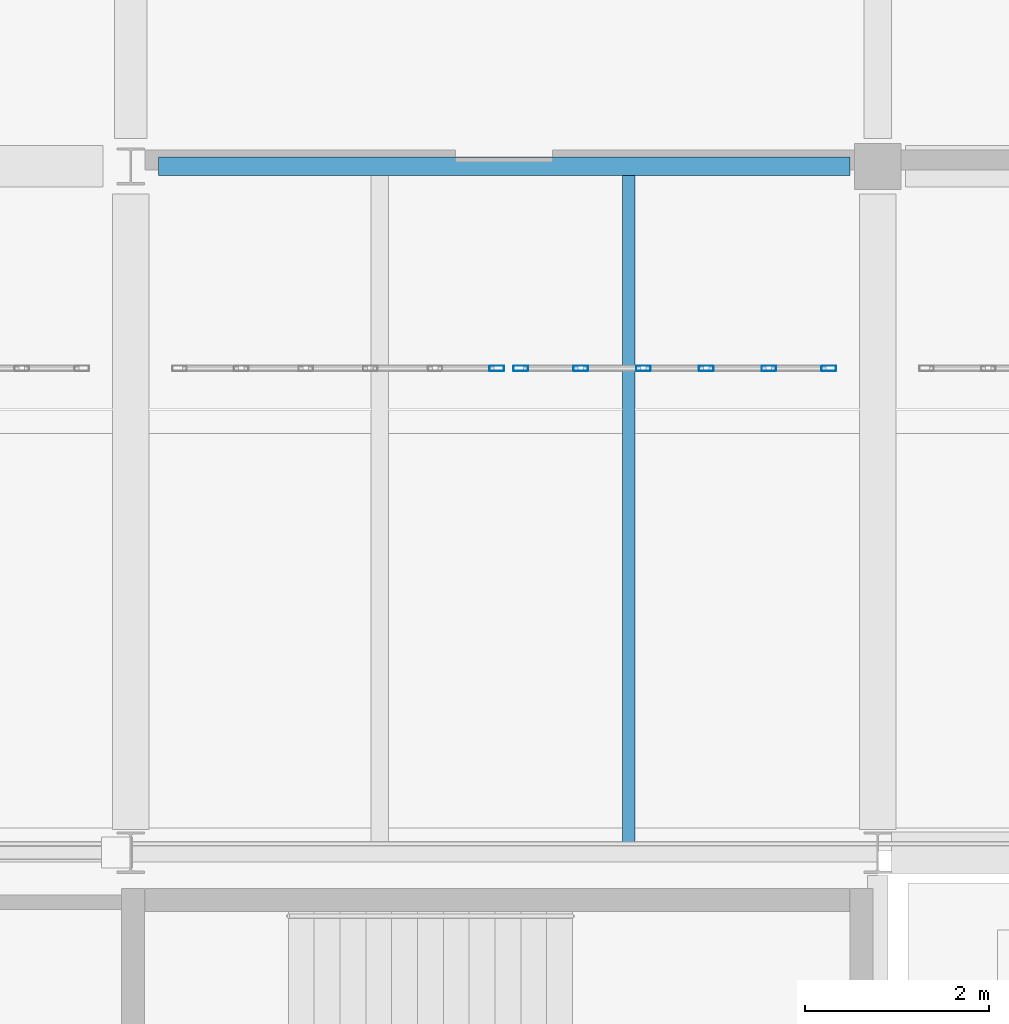
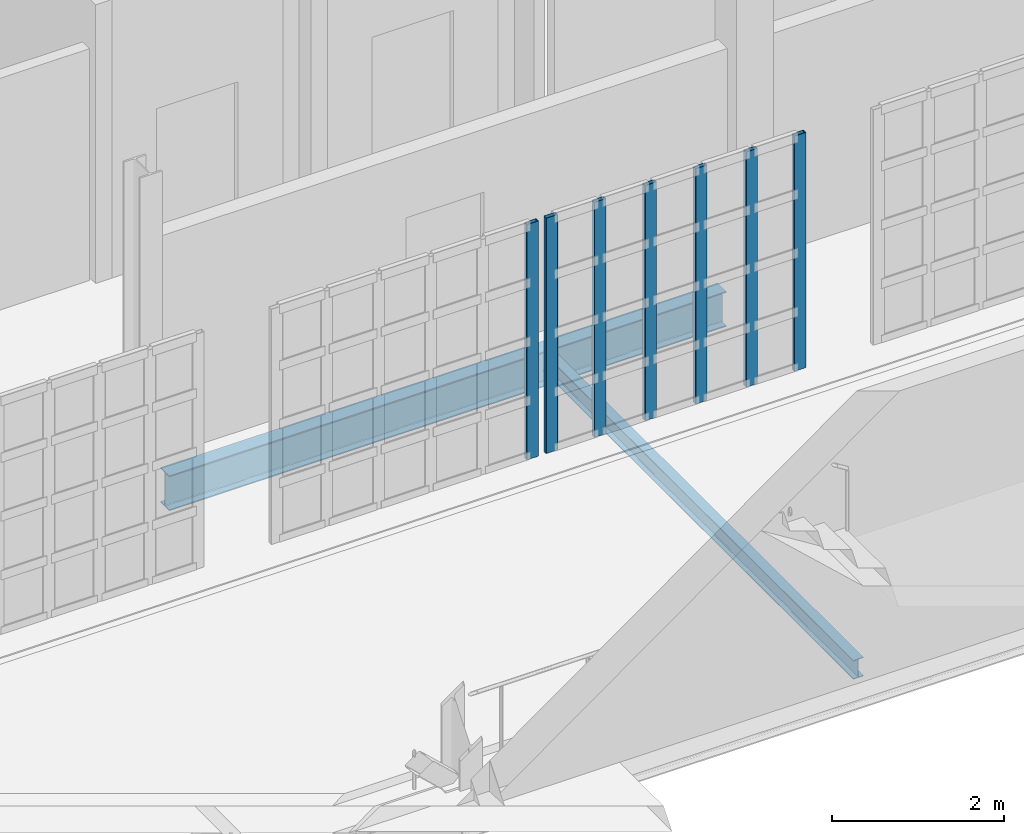
# One storey, part 7 of 25: 7 members, 2 beams, 2 elements without a shape of their own.
"""IFC4 building model written with IfcOpenShell, lengths in metres."""

from ifc_helpers import new_model, si_unit, direction, frame, origin, origin_2d, place, context, subcontext, project, spatial, hollow_rectangle, i_section, extrude, material, material_profile, profile_set, type_object, element, aggregate, save


model = new_model("IFC4")

# Units and contexts
model_context = context("Model", 3, precision=1e-05, world=origin(), true_north=direction((0.0, 1.0)))
body_context = subcontext(model_context, "Body", "Model", "MODEL_VIEW")
ifc_project = project(units=[si_unit("LENGTHUNIT", "METRE"), si_unit("AREAUNIT", "SQUARE_METRE"), si_unit("VOLUMEUNIT", "CUBIC_METRE"), si_unit("PLANEANGLEUNIT", "RADIAN"), si_unit("MASSUNIT", "GRAM", prefix="KILO")], contexts=[model_context])

# Site, building, storey
site_placement = place(None, origin())
site = spatial("IfcSite", under=ifc_project, at=site_placement, CompositionType="ELEMENT")
building_placement = place(site_placement, origin())
building = spatial("IfcBuilding", under=site, at=building_placement, Name="Kaelora Sail Theatre", CompositionType="ELEMENT")
storey_placement = place(building_placement, frame((0.0, 0.0, 19.199951171875)))
storey = spatial("IfcBuildingStorey", under=building, at=storey_placement, Name="L04", CompositionType="ELEMENT", Elevation=19.199951171875)

# Curtain wall, member
ifc_material_1 = material(Name="Anodised aluminium and solar-control low-E IGU", Category="aluminium")
curtain_wall_type = type_object("IfcCurtainWallType", Name="ARC-CW-CW-CLR", PredefinedType="NOTDEFINED", material=ifc_material_1)
curtain_wall_1_placement = place(storey_placement, origin())
curtain_wall_1 = element("IfcCurtainWall", 1, at=curtain_wall_1_placement, inside=storey, type_object=curtain_wall_type, Name="Glazed Foyer/Conservatory Curtain Wall NW2-S-L04-04", PredefinedType="NOTDEFINED")
ifc_material_2 = material(Name="Anodised aluminium 6063-T6", Category="aluminium")
ifc_material_profile_1 = material_profile(ifc_material_2, hollow_rectangle(XDim=0.06005859375, YDim=0.159912109375, WallThickness=0.00390625, InnerFilletRadius=0.00390625, OuterFilletRadius=0.008056640625, at=origin_2d()), Name="ALU-MULL 60x160x4")
ifc_profile_set_1 = profile_set([ifc_material_profile_1], Name="Anodised aluminium 6063-T6")
member_type = type_object("IfcMemberType", Name="ARC-MEM-ML-160", PredefinedType="MULLION", material=ifc_profile_set_1)
member_1_placement = place(storey_placement, frame((54.070068359375, 88.590087890625, 0.0), z_axis=(0.0, 0.0, 1.0), x_axis=(0.0, 1.0, 0.0)))
member_1 = element("IfcMember", 2, at=member_1_placement, type_object=member_type, Name="CW-CLR mullion 6", PredefinedType="MULLION", context=body_context, shape_type="SweptSolid", body=[
    extrude(hollow_rectangle(XDim=0.06005859375, YDim=0.159912109375, WallThickness=0.00390625, InnerFilletRadius=0.00390625, OuterFilletRadius=0.008056640625, at=origin_2d()), origin(), (0.0, 0.0, 1.0), 3.34716796875),
])
aggregate(curtain_wall_1, [member_1])

# Curtain wall, members
curtain_wall_2_placement = place(storey_placement, origin())
curtain_wall_2 = element("IfcCurtainWall", 3, at=curtain_wall_2_placement, inside=storey, type_object=curtain_wall_type, Name="Glazed Foyer/Conservatory Curtain Wall NW2-S-L04-05", PredefinedType="NOTDEFINED")
member_2_placement = place(storey_placement, frame((54.330078125, 88.590087890625, 0.0), z_axis=(0.0, 0.0, 1.0), x_axis=(0.0, 1.0, 0.0)))
member_2 = element("IfcMember", 4, at=member_2_placement, type_object=member_type, Name="CW-CLR mullion 1", PredefinedType="MULLION", context=body_context, shape_type="SweptSolid", body=[
    extrude(hollow_rectangle(XDim=0.06005859375, YDim=0.159912109375, WallThickness=0.00390625, InnerFilletRadius=0.00390625, OuterFilletRadius=0.008056640625, at=origin_2d()), origin(), (0.0, 0.0, 1.0), 3.34716796875),
])
member_3_placement = place(storey_placement, frame((54.97998046875, 88.590087890625, 0.0), z_axis=(0.0, 0.0, 1.0), x_axis=(0.0, 1.0, 0.0)))
member_3 = element("IfcMember", 5, at=member_3_placement, type_object=member_type, Name="CW-CLR mullion 2", PredefinedType="MULLION", context=body_context, shape_type="SweptSolid", body=[
    extrude(hollow_rectangle(XDim=0.06005859375, YDim=0.159912109375, WallThickness=0.00390625, InnerFilletRadius=0.00390625, OuterFilletRadius=0.008056640625, at=origin_2d()), origin(), (0.0, 0.0, 1.0), 3.34716796875),
])
member_4_placement = place(storey_placement, frame((55.659912109375, 88.590087890625, 0.0), z_axis=(0.0, 0.0, 1.0), x_axis=(0.0, 1.0, 0.0)))
member_4 = element("IfcMember", 6, at=member_4_placement, type_object=member_type, Name="CW-CLR mullion 3", PredefinedType="MULLION", context=body_context, shape_type="SweptSolid", body=[
    extrude(hollow_rectangle(XDim=0.06005859375, YDim=0.159912109375, WallThickness=0.00390625, InnerFilletRadius=0.00390625, OuterFilletRadius=0.008056640625, at=origin_2d()), origin(), (0.0, 0.0, 1.0), 3.34716796875),
])
member_5_placement = place(storey_placement, frame((56.340087890625, 88.590087890625, 0.0), z_axis=(0.0, 0.0, 1.0), x_axis=(0.0, 1.0, 0.0)))
member_5 = element("IfcMember", 7, at=member_5_placement, type_object=member_type, Name="CW-CLR mullion 4", PredefinedType="MULLION", context=body_context, shape_type="SweptSolid", body=[
    extrude(hollow_rectangle(XDim=0.06005859375, YDim=0.159912109375, WallThickness=0.00390625, InnerFilletRadius=0.00390625, OuterFilletRadius=0.008056640625, at=origin_2d()), origin(), (0.0, 0.0, 1.0), 3.34716796875),
])
member_6_placement = place(storey_placement, frame((57.02001953125, 88.590087890625, 0.0), z_axis=(0.0, 0.0, 1.0), x_axis=(0.0, 1.0, 0.0)))
member_6 = element("IfcMember", 8, at=member_6_placement, type_object=member_type, Name="CW-CLR mullion 5", PredefinedType="MULLION", context=body_context, shape_type="SweptSolid", body=[
    extrude(hollow_rectangle(XDim=0.06005859375, YDim=0.159912109375, WallThickness=0.00390625, InnerFilletRadius=0.00390625, OuterFilletRadius=0.008056640625, at=origin_2d()), origin(), (0.0, 0.0, 1.0), 3.34716796875),
])
member_7_placement = place(storey_placement, frame((57.669921875, 88.590087890625, 0.0), z_axis=(0.0, 0.0, 1.0), x_axis=(0.0, 1.0, 0.0)))
member_7 = element("IfcMember", 9, at=member_7_placement, type_object=member_type, Name="CW-CLR mullion 6", PredefinedType="MULLION", context=body_context, shape_type="SweptSolid", body=[
    extrude(hollow_rectangle(XDim=0.06005859375, YDim=0.159912109375, WallThickness=0.00390625, InnerFilletRadius=0.00390625, OuterFilletRadius=0.008056640625, at=origin_2d()), origin(), (0.0, 0.0, 1.0), 3.34716796875),
])
aggregate(curtain_wall_2, [member_2, member_3, member_4, member_5, member_6, member_7])

# Beams
ifc_material_3 = material(Name="Steel S355", Category="steel")
ifc_material_profile_2 = material_profile(ifc_material_3, i_section(OverallWidth=0.199951171875, OverallDepth=0.5, WebThickness=0.01025390625, FlangeThickness=0.01611328125, FilletRadius=0.02099609375, at=origin_2d()), Name="IPE 500")
ifc_profile_set_2 = profile_set([ifc_material_profile_2], Name="Steel S355")
beam_type_1 = type_object("IfcBeamType", Name="STR-BM-BM-IPE500", PredefinedType="BEAM", material=ifc_profile_set_2)
beam_1_placement = place(storey_placement, frame((50.39990234375, 90.780029296875, -0.5048828125), z_axis=(1.0, 0.0, 0.0), x_axis=(0.0, 1.0, 0.0)))
element("IfcBeam", 10, at=beam_1_placement, inside=storey, type_object=beam_type_1, Name="Primary beam M 7-8 (L04)", PredefinedType="BEAM", context=body_context, shape_type="SweptSolid", body=[
    extrude(i_section(OverallWidth=0.199951171875, OverallDepth=0.5, WebThickness=0.01025390625, FlangeThickness=0.01611328125, FilletRadius=0.02099609375, at=origin_2d()), origin(), (0.0, 0.0, 1.0), 7.5),
])
ifc_material_4 = material(Name="Steel S355", Category="steel")
ifc_material_profile_3 = material_profile(ifc_material_4, i_section(OverallWidth=0.135009765625, OverallDepth=0.27001953125, WebThickness=0.006591796875, FlangeThickness=0.01025390625, FilletRadius=0.014892578125, at=origin_2d()), Name="IPE 270")
ifc_profile_set_3 = profile_set([ifc_material_profile_3], Name="Steel S355")
beam_type_2 = type_object("IfcBeamType", Name="STR-BM-JS-IPE270", PredefinedType="JOIST", material=ifc_profile_set_3)
beam_2_placement = place(storey_placement, frame((55.5, 83.445068359375, -0.389892578125), z_axis=(0.0, 1.0, 0.0), x_axis=(-1.0, 0.0, 0.0)))
element("IfcBeam", 11, at=beam_2_placement, inside=storey, type_object=beam_type_2, Name="Secondary floor joist 7/L-2 (L04)", PredefinedType="JOIST", context=body_context, shape_type="SweptSolid", body=[
    extrude(i_section(OverallWidth=0.135009765625, OverallDepth=0.27001953125, WebThickness=0.006591796875, FlangeThickness=0.01025390625, FilletRadius=0.014892578125, at=origin_2d()), origin(), (0.0, 0.0, 1.0), 7.23486328125),
])

save(model, "model.ifc")
